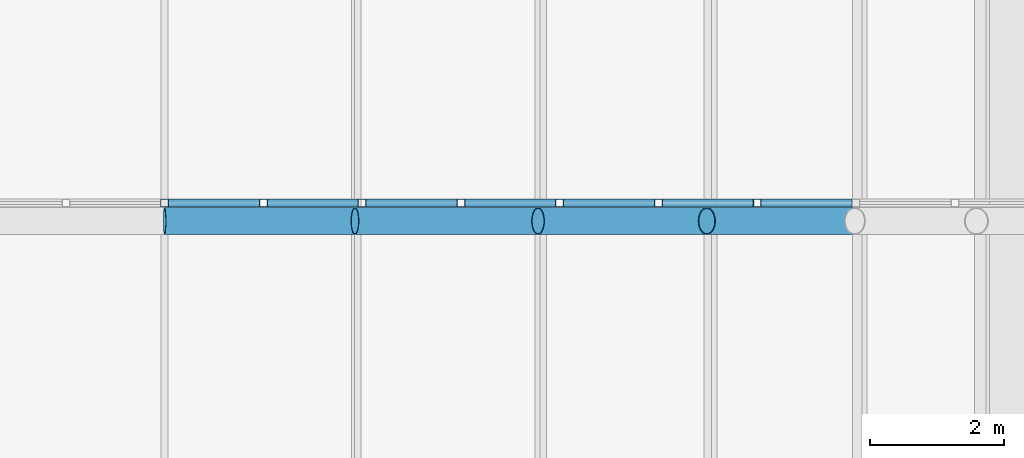
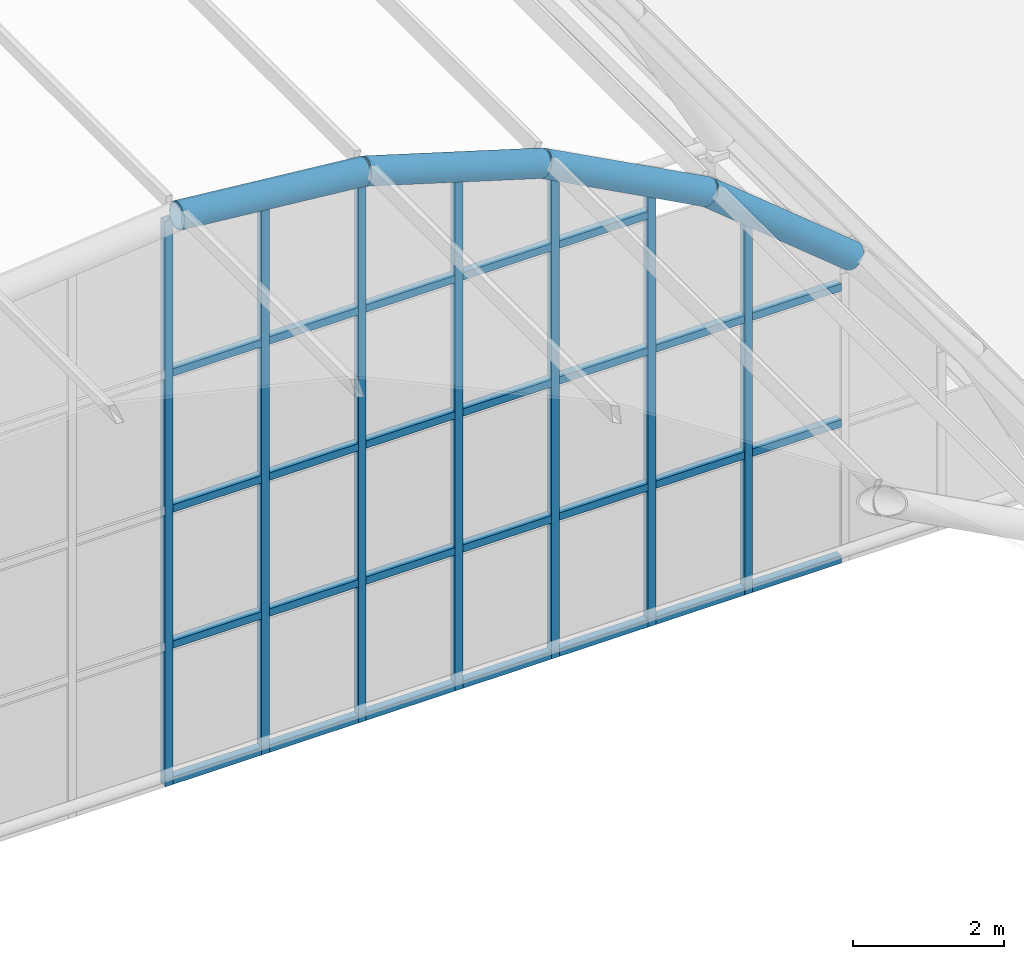
# One storey, part 28 of 121: 37 members, 1 element without a shape of its own.
"""IFC4 building model written with IfcOpenShell, lengths in metres."""

import ifcopenshell
import ifcopenshell.guid

model = None  # the IFC model being written
_history = None  # IfcOwnerHistory: only IFC2X3 demands one
_inside = {}  # id of a spatial element -> (the spatial element, [elements in it])
_under = {}  # id of a project, library or spatial element -> (it, [spatial elements below it])
_declared = {}  # id of a project -> (the project, [libraries it declares])
_typed = {}  # id of a type object -> (the type object, [elements of that type])
_made_of = {}  # id of a material, layer set ... -> (it, [elements and type objects made of it])


def new_model(schema):
    """Start an empty IFC model of exactly this schema.

    Asked for "IFC4X3", IfcOpenShell would pick the latest addendum, in which some entities
    have other attributes; the version numbers below select the first issue.
    IFC2X3 requires an IfcOwnerHistory on every rooted entity: one is made here for all.
    """
    global model, _history
    if schema == "IFC4X3":
        model = ifcopenshell.file(schema_version=(4, 3, 0, 0))
    else:
        model = ifcopenshell.file(schema=schema)
    _inside.clear()
    _under.clear()
    _declared.clear()
    _typed.clear()
    _made_of.clear()
    _history = None
    if model.schema == "IFC2X3":
        org = make("IfcOrganization", Name="unknown")
        user = make(
            "IfcPersonAndOrganization",
            ThePerson=make("IfcPerson", FamilyName="unknown"),
            TheOrganization=org,
        )
        app = make(
            "IfcApplication",
            ApplicationDeveloper=org,
            Version="unknown",
            ApplicationFullName="unknown",
            ApplicationIdentifier="unknown",
        )
        _history = make(
            "IfcOwnerHistory",
            OwningUser=user,
            OwningApplication=app,
            ChangeAction="ADDED",
            CreationDate=0,
        )
    return model


def make(cls, **values):
    """One entity of the class cls with the attributes given. An attribute that is None is left unset."""
    return model.create_entity(
        cls, **{name: value for name, value in values.items() if value is not None}
    )


def rooted(cls, **values):
    """An entity with a GlobalId (a new one), such as an element, a storey or a relation."""
    return make(cls, GlobalId=ifcopenshell.guid.new(), OwnerHistory=_history, **values)


def si_unit(unit_type, name, prefix=None):
    """IfcSIUnit, for example si_unit("LENGTHUNIT", "METRE", prefix="MILLI")."""
    return make("IfcSIUnit", UnitType=unit_type, Prefix=prefix, Name=name)


def assignment(units):
    """IfcUnitAssignment: the units of a project."""
    return None if units is None else make("IfcUnitAssignment", Units=units)


def point(xyz):
    """IfcCartesianPoint."""
    return None if xyz is None else make("IfcCartesianPoint", Coordinates=xyz)


def direction(xyz):
    """IfcDirection."""
    return None if xyz is None else make("IfcDirection", DirectionRatios=xyz)


def frame(location, z_axis=None, x_axis=None):
    """IfcAxis2Placement3D, a coordinate frame: its origin and axes. An axis left out is left unset."""
    return make(
        "IfcAxis2Placement3D",
        Location=point(location),
        Axis=direction(z_axis),
        RefDirection=direction(x_axis),
    )


def frame_2d(location, x_axis=None):
    """IfcAxis2Placement2D, a coordinate frame in the plane: its origin and x axis."""
    return make(
        "IfcAxis2Placement2D", Location=point(location), RefDirection=direction(x_axis)
    )


def origin():
    """The frame at (0, 0, 0) with its axes left unset."""
    return frame((0.0, 0.0, 0.0))


def origin_2d():
    """The frame at (0, 0) in the plane with its x axis left unset."""
    return frame_2d((0.0, 0.0))


def place(relative_to, where):
    """IfcLocalPlacement: puts the frame where relative to a parent placement (None: the world)."""
    return make(
        "IfcLocalPlacement", PlacementRelTo=relative_to, RelativePlacement=where
    )


def context(
    kind, dimensions, precision=None, world=None, true_north=None, identifier=None
):
    """IfcGeometricRepresentationContext, for example the 3D "Model" context."""
    return make(
        "IfcGeometricRepresentationContext",
        ContextIdentifier=identifier,
        ContextType=kind,
        CoordinateSpaceDimension=dimensions,
        Precision=precision,
        WorldCoordinateSystem=world,
        TrueNorth=true_north,
    )


def subcontext(parent, identifier, kind, view, scale=None):
    """IfcGeometricRepresentationSubContext, for example "Body" below "Model"."""
    return make(
        "IfcGeometricRepresentationSubContext",
        ContextIdentifier=identifier,
        ContextType=kind,
        ParentContext=parent,
        TargetScale=scale,
        TargetView=view,
    )


def project(units=None, contexts=None):
    """IfcProject with its units and contexts."""
    return rooted(
        "IfcProject",
        Name="project",
        RepresentationContexts=contexts,
        UnitsInContext=assignment(units),
    )


def spatial(cls, under=None, at=None, **own):
    """A site, building, storey or space (cls), placed at a placement, below another one or the project."""
    s = rooted(cls, ObjectPlacement=at, **own)
    if under is not None:
        _under.setdefault(under.id(), (under, []))[1].append(s)
    return s


def profile(cls, at=None, kind="AREA", **sizes):
    """A parametric profile (cls). Its sizes go by their IFC names, for example OverallWidth=200.0."""
    return make(cls, ProfileType=kind, Position=at, **sizes)


def hollow_rectangle(**sizes):
    """IfcRectangleHollowProfileDef."""
    return profile("IfcRectangleHollowProfileDef", **sizes)


def hollow_circle(**sizes):
    """IfcCircleHollowProfileDef."""
    return profile("IfcCircleHollowProfileDef", **sizes)


def extrude(swept, where, along, depth):
    """IfcExtrudedAreaSolid: the profile swept, set in the frame where, extruded along a direction by depth."""
    return make(
        "IfcExtrudedAreaSolid",
        SweptArea=swept,
        Position=where,
        ExtrudedDirection=direction(along),
        Depth=depth,
    )


def shape(context_of_items, identifier, shape_type, items):
    """IfcShapeRepresentation: the items that make up one representation, for example the "Body"."""
    return make(
        "IfcShapeRepresentation",
        ContextOfItems=context_of_items,
        RepresentationIdentifier=identifier,
        RepresentationType=shape_type,
        Items=items,
    )


def material(Name=None, Category=None):
    """IfcMaterial."""
    return make("IfcMaterial", Name=Name, Category=Category)


def material_profile(
    of_material, cross_section, Name=None, Category=None, Priority=None
):
    """IfcMaterialProfile: a cross section and its material."""
    return make(
        "IfcMaterialProfile",
        Name=Name,
        Material=of_material,
        Profile=cross_section,
        Priority=Priority,
        Category=Category,
    )


def profile_set(profiles, Name=None, composite=None):
    """IfcMaterialProfileSet."""
    return make(
        "IfcMaterialProfileSet",
        Name=Name,
        MaterialProfiles=profiles,
        CompositeProfile=composite,
    )


def made_of(thing, what):
    """Note that an element or type object is made of a material, layer set ...; save() writes the relation."""
    if what is not None:
        _made_of.setdefault(what.id(), (what, []))[1].append(thing)
    return thing


def type_object(cls, material=None, **own):
    """A type object (cls), such as IfcWallType, which elements share."""
    return made_of(rooted(cls, **own), material)


def element(
    cls,
    number,
    at=None,
    inside=None,
    cuts=None,
    type_object=None,
    material=None,
    context=None,
    identifier="Body",
    shape_type=None,
    held_by="IfcProductDefinitionShape",
    body=None,
    shapes=None,
    **own,
):
    """One element of the class cls, such as IfcWall. Its Tag is "e" and its number.

    at: its placement. inside: the storey or other place that contains it. cuts: it is an
    opening in that element (IfcRelVoidsElement). A single representation is given by context,
    identifier, shape_type and body (its items); several are given by shapes. held_by: the class
    of the entity that holds the representations. save() writes the other relations.
    """
    e = rooted(cls, Tag="e%d" % number, ObjectPlacement=at, **own)
    if body is not None:
        shapes = [shape(context, identifier, shape_type, body)]
    if shapes is not None:
        e.Representation = make(held_by, Representations=shapes)
    if inside is not None:
        _inside.setdefault(inside.id(), (inside, []))[1].append(e)
    if cuts is not None:
        rooted(
            "IfcRelVoidsElement", RelatingBuildingElement=cuts, RelatedOpeningElement=e
        )
    if type_object is not None:
        _typed.setdefault(type_object.id(), (type_object, []))[1].append(e)
    return made_of(e, material)


def aggregate(whole, parts):
    """IfcRelAggregates: a whole, such as a stair, and the parts it consists of."""
    return rooted("IfcRelAggregates", RelatingObject=whole, RelatedObjects=parts)


def save(model, path):
    """Write the relations noted so far, then the file.

    IfcRelAggregates (storeys below a building ...), IfcRelContainedInSpatialStructure (elements
    in a storey), IfcRelDefinesByType, IfcRelAssociatesMaterial and IfcRelDeclares: one each for
    every whole, place, type object, material and project.
    """
    for whole, parts in _under.values():
        aggregate(whole, parts)
    for where, things in _inside.values():
        rooted(
            "IfcRelContainedInSpatialStructure",
            RelatedElements=things,
            RelatingStructure=where,
        )
    for kind, things in _typed.values():
        rooted("IfcRelDefinesByType", RelatedObjects=things, RelatingType=kind)
    for what, things in _made_of.values():
        rooted("IfcRelAssociatesMaterial", RelatedObjects=things, RelatingMaterial=what)
    for by, libraries in _declared.values():
        rooted("IfcRelDeclares", RelatingContext=by, RelatedDefinitions=libraries)
    model.write(path)


model = new_model("IFC4")

# Units and contexts
model_context = context("Model", 3, precision=1e-05, world=origin(), true_north=direction((0.0, 1.0)))
body_context = subcontext(model_context, "Body", "Model", "MODEL_VIEW")
ifc_project = project(units=[si_unit("LENGTHUNIT", "METRE"), si_unit("AREAUNIT", "SQUARE_METRE"), si_unit("VOLUMEUNIT", "CUBIC_METRE"), si_unit("PLANEANGLEUNIT", "RADIAN"), si_unit("MASSUNIT", "GRAM", prefix="KILO")], contexts=[model_context])

# Site, building, storey
site_placement = place(None, origin())
site = spatial("IfcSite", under=ifc_project, at=site_placement, CompositionType="ELEMENT")
building_placement = place(site_placement, origin())
building = spatial("IfcBuilding", under=site, at=building_placement, Name="Golden Quay Civic Hall", CompositionType="ELEMENT")
storey_placement = place(building_placement, frame((0.0, 0.0, 18.60009765625)))
storey = spatial("IfcBuildingStorey", under=building, at=storey_placement, Name="L04", CompositionType="ELEMENT", Elevation=18.60009765625)

# Curtain wall, members
ifc_material_1 = material(Name="Fire-resisting glass and steel", Category="steel")
curtain_wall_type = type_object("IfcCurtainWallType", Name="Fire-resisting glazed curtain wall EI 120", PredefinedType="NOTDEFINED", material=ifc_material_1)
curtain_wall_placement = place(storey_placement, origin())
curtain_wall = element("IfcCurtainWall", 1, at=curtain_wall_placement, inside=storey, type_object=curtain_wall_type, Name="Curtain wall tympanum fire1", PredefinedType="NOTDEFINED")
ifc_material_2 = material(Name="Steel S355", Category="steel")
ifc_material_profile_1 = material_profile(ifc_material_2, hollow_rectangle(XDim=0.1201171875, YDim=0.1201171875, WallThickness=0.008056640625, at=origin_2d()), Name="SHS 120x120x8")
ifc_profile_set_1 = profile_set([ifc_material_profile_1], Name="Steel S355")
member_type_1 = type_object("IfcMemberType", Name="Fire-resisting steel mullion SHS 120x120x8", PredefinedType="MULLION", material=ifc_profile_set_1)
member_1_placement = place(storey_placement, frame((85.5, 18.27001953125, -0.25), z_axis=(0.0, 0.0, 1.0), x_axis=(0.0, 1.0, 0.0)))
member_1 = element("IfcMember", 2, at=member_1_placement, type_object=member_type_1, Name="Tympanum mullion 10", PredefinedType="MULLION", context=body_context, shape_type="SweptSolid", body=[
    extrude(hollow_rectangle(XDim=0.1201171875, YDim=0.1201171875, WallThickness=0.008056640625, at=origin_2d()), origin(), (0.0, 0.0, 1.0), 9.139892578125),
])
member_2_placement = place(storey_placement, frame((86.977783203125, 18.27001953125, -0.25), z_axis=(0.0, 0.0, 1.0), x_axis=(0.0, 1.0, 0.0)))
member_2 = element("IfcMember", 3, at=member_2_placement, type_object=member_type_1, Name="Tympanum mullion 11", PredefinedType="MULLION", context=body_context, shape_type="SweptSolid", body=[
    extrude(hollow_rectangle(XDim=0.1201171875, YDim=0.1201171875, WallThickness=0.008056640625, at=origin_2d()), origin(), (0.0, 0.0, 1.0), 8.99462890625),
])
member_3_placement = place(storey_placement, frame((88.45556640625, 18.27001953125, -0.25), z_axis=(0.0, 0.0, 1.0), x_axis=(0.0, 1.0, 0.0)))
member_3 = element("IfcMember", 4, at=member_3_placement, type_object=member_type_1, Name="Tympanum mullion 12", PredefinedType="MULLION", context=body_context, shape_type="SweptSolid", body=[
    extrude(hollow_rectangle(XDim=0.1201171875, YDim=0.1201171875, WallThickness=0.008056640625, at=origin_2d()), origin(), (0.0, 0.0, 1.0), 8.806884765625),
])
member_4_placement = place(storey_placement, frame((89.933349609375, 18.27001953125, -0.25), z_axis=(0.0, 0.0, 1.0), x_axis=(0.0, 1.0, 0.0)))
member_4 = element("IfcMember", 5, at=member_4_placement, type_object=member_type_1, Name="Tympanum mullion 13", PredefinedType="MULLION", context=body_context, shape_type="SweptSolid", body=[
    extrude(hollow_rectangle(XDim=0.1201171875, YDim=0.1201171875, WallThickness=0.008056640625, at=origin_2d()), origin(), (0.0, 0.0, 1.0), 8.359375),
])
member_5_placement = place(storey_placement, frame((91.4111328125, 18.27001953125, -0.25), z_axis=(0.0, 0.0, 1.0), x_axis=(0.0, 1.0, 0.0)))
member_5 = element("IfcMember", 6, at=member_5_placement, type_object=member_type_1, Name="Tympanum mullion 14", PredefinedType="MULLION", context=body_context, shape_type="SweptSolid", body=[
    extrude(hollow_rectangle(XDim=0.1201171875, YDim=0.1201171875, WallThickness=0.008056640625, at=origin_2d()), origin(), (0.0, 0.0, 1.0), 7.805419921875),
])
member_6_placement = place(storey_placement, frame((92.888916015625, 18.27001953125, -0.25), z_axis=(0.0, 0.0, 1.0), x_axis=(0.0, 1.0, 0.0)))
member_6 = element("IfcMember", 7, at=member_6_placement, type_object=member_type_1, Name="Tympanum mullion 15", PredefinedType="MULLION", context=body_context, shape_type="SweptSolid", body=[
    extrude(hollow_rectangle(XDim=0.1201171875, YDim=0.1201171875, WallThickness=0.008056640625, at=origin_2d()), origin(), (0.0, 0.0, 1.0), 7.017333984375),
])
member_7_placement = place(storey_placement, frame((94.36669921875, 18.27001953125, -0.25), z_axis=(0.0, 0.0, 1.0), x_axis=(0.0, 1.0, 0.0)))
member_7 = element("IfcMember", 8, at=member_7_placement, type_object=member_type_1, Name="Tympanum mullion 16", PredefinedType="MULLION", context=body_context, shape_type="SweptSolid", body=[
    extrude(hollow_rectangle(XDim=0.1201171875, YDim=0.1201171875, WallThickness=0.008056640625, at=origin_2d()), origin(), (0.0, 0.0, 1.0), 5.964599609375),
])
ifc_material_3 = material(Name="Steel S355", Category="steel")
ifc_material_profile_2 = material_profile(ifc_material_3, hollow_rectangle(XDim=0.1201171875, YDim=0.1201171875, WallThickness=0.008056640625, at=origin_2d()), Name="SHS 120x120x8")
ifc_profile_set_2 = profile_set([ifc_material_profile_2], Name="Steel S355")
member_type_2 = type_object("IfcMemberType", Name="Fire-resisting steel transom SHS 120x120x8", PredefinedType="USERDEFINED", material=ifc_profile_set_2)
member_8_placement = place(storey_placement, frame((85.56005859375, 18.27001953125, -0.190185546875), z_axis=(1.0, 0.0, 0.0), x_axis=(0.0, 1.0, 0.0)))
member_8 = element("IfcMember", 9, at=member_8_placement, type_object=member_type_2, Name="Tympanum transom 10.1", ObjectType="TRANSOM", PredefinedType="USERDEFINED", context=body_context, shape_type="SweptSolid", body=[
    extrude(hollow_rectangle(XDim=0.1201171875, YDim=0.1201171875, WallThickness=0.008056640625, at=origin_2d()), origin(), (0.0, 0.0, 1.0), 1.357666015625),
])
member_9_placement = place(storey_placement, frame((85.56005859375, 18.27001953125, 2.010009765625), z_axis=(1.0, 0.0, 0.0), x_axis=(0.0, 1.0, 0.0)))
member_9 = element("IfcMember", 10, at=member_9_placement, type_object=member_type_2, Name="Tympanum transom 10.2", ObjectType="TRANSOM", PredefinedType="USERDEFINED", context=body_context, shape_type="SweptSolid", body=[
    extrude(hollow_rectangle(XDim=0.1201171875, YDim=0.1201171875, WallThickness=0.008056640625, at=origin_2d()), origin(), (0.0, 0.0, 1.0), 1.357666015625),
])
member_10_placement = place(storey_placement, frame((85.56005859375, 18.27001953125, 4.2099609375), z_axis=(1.0, 0.0, 0.0), x_axis=(0.0, 1.0, 0.0)))
member_10 = element("IfcMember", 11, at=member_10_placement, type_object=member_type_2, Name="Tympanum transom 10.3", ObjectType="TRANSOM", PredefinedType="USERDEFINED", context=body_context, shape_type="SweptSolid", body=[
    extrude(hollow_rectangle(XDim=0.1201171875, YDim=0.1201171875, WallThickness=0.008056640625, at=origin_2d()), origin(), (0.0, 0.0, 1.0), 1.357666015625),
])
member_11_placement = place(storey_placement, frame((85.56005859375, 18.27001953125, 6.409912109375), z_axis=(1.0, 0.0, 0.0), x_axis=(0.0, 1.0, 0.0)))
member_11 = element("IfcMember", 12, at=member_11_placement, type_object=member_type_2, Name="Tympanum transom 10.4", ObjectType="TRANSOM", PredefinedType="USERDEFINED", context=body_context, shape_type="SweptSolid", body=[
    extrude(hollow_rectangle(XDim=0.1201171875, YDim=0.1201171875, WallThickness=0.008056640625, at=origin_2d()), origin(), (0.0, 0.0, 1.0), 1.357666015625),
])
member_12_placement = place(storey_placement, frame((87.037841796875, 18.27001953125, -0.190185546875), z_axis=(1.0, 0.0, 0.0), x_axis=(0.0, 1.0, 0.0)))
member_12 = element("IfcMember", 13, at=member_12_placement, type_object=member_type_2, Name="Tympanum transom 11.1", ObjectType="TRANSOM", PredefinedType="USERDEFINED", context=body_context, shape_type="SweptSolid", body=[
    extrude(hollow_rectangle(XDim=0.1201171875, YDim=0.1201171875, WallThickness=0.008056640625, at=origin_2d()), origin(), (0.0, 0.0, 1.0), 1.357666015625),
])
member_13_placement = place(storey_placement, frame((87.037841796875, 18.27001953125, 2.010009765625), z_axis=(1.0, 0.0, 0.0), x_axis=(0.0, 1.0, 0.0)))
member_13 = element("IfcMember", 14, at=member_13_placement, type_object=member_type_2, Name="Tympanum transom 11.2", ObjectType="TRANSOM", PredefinedType="USERDEFINED", context=body_context, shape_type="SweptSolid", body=[
    extrude(hollow_rectangle(XDim=0.1201171875, YDim=0.1201171875, WallThickness=0.008056640625, at=origin_2d()), origin(), (0.0, 0.0, 1.0), 1.357666015625),
])
member_14_placement = place(storey_placement, frame((87.037841796875, 18.27001953125, 4.2099609375), z_axis=(1.0, 0.0, 0.0), x_axis=(0.0, 1.0, 0.0)))
member_14 = element("IfcMember", 15, at=member_14_placement, type_object=member_type_2, Name="Tympanum transom 11.3", ObjectType="TRANSOM", PredefinedType="USERDEFINED", context=body_context, shape_type="SweptSolid", body=[
    extrude(hollow_rectangle(XDim=0.1201171875, YDim=0.1201171875, WallThickness=0.008056640625, at=origin_2d()), origin(), (0.0, 0.0, 1.0), 1.357666015625),
])
member_15_placement = place(storey_placement, frame((87.037841796875, 18.27001953125, 6.409912109375), z_axis=(1.0, 0.0, 0.0), x_axis=(0.0, 1.0, 0.0)))
member_15 = element("IfcMember", 16, at=member_15_placement, type_object=member_type_2, Name="Tympanum transom 11.4", ObjectType="TRANSOM", PredefinedType="USERDEFINED", context=body_context, shape_type="SweptSolid", body=[
    extrude(hollow_rectangle(XDim=0.1201171875, YDim=0.1201171875, WallThickness=0.008056640625, at=origin_2d()), origin(), (0.0, 0.0, 1.0), 1.357666015625),
])
member_16_placement = place(storey_placement, frame((88.515625, 18.27001953125, -0.190185546875), z_axis=(1.0, 0.0, 0.0), x_axis=(0.0, 1.0, 0.0)))
member_16 = element("IfcMember", 17, at=member_16_placement, type_object=member_type_2, Name="Tympanum transom 12.1", ObjectType="TRANSOM", PredefinedType="USERDEFINED", context=body_context, shape_type="SweptSolid", body=[
    extrude(hollow_rectangle(XDim=0.1201171875, YDim=0.1201171875, WallThickness=0.008056640625, at=origin_2d()), origin(), (0.0, 0.0, 1.0), 1.357666015625),
])
member_17_placement = place(storey_placement, frame((88.515625, 18.27001953125, 2.010009765625), z_axis=(1.0, 0.0, 0.0), x_axis=(0.0, 1.0, 0.0)))
member_17 = element("IfcMember", 18, at=member_17_placement, type_object=member_type_2, Name="Tympanum transom 12.2", ObjectType="TRANSOM", PredefinedType="USERDEFINED", context=body_context, shape_type="SweptSolid", body=[
    extrude(hollow_rectangle(XDim=0.1201171875, YDim=0.1201171875, WallThickness=0.008056640625, at=origin_2d()), origin(), (0.0, 0.0, 1.0), 1.357666015625),
])
member_18_placement = place(storey_placement, frame((88.515625, 18.27001953125, 4.2099609375), z_axis=(1.0, 0.0, 0.0), x_axis=(0.0, 1.0, 0.0)))
member_18 = element("IfcMember", 19, at=member_18_placement, type_object=member_type_2, Name="Tympanum transom 12.3", ObjectType="TRANSOM", PredefinedType="USERDEFINED", context=body_context, shape_type="SweptSolid", body=[
    extrude(hollow_rectangle(XDim=0.1201171875, YDim=0.1201171875, WallThickness=0.008056640625, at=origin_2d()), origin(), (0.0, 0.0, 1.0), 1.357666015625),
])
member_19_placement = place(storey_placement, frame((88.515625, 18.27001953125, 6.409912109375), z_axis=(1.0, 0.0, 0.0), x_axis=(0.0, 1.0, 0.0)))
member_19 = element("IfcMember", 20, at=member_19_placement, type_object=member_type_2, Name="Tympanum transom 12.4", ObjectType="TRANSOM", PredefinedType="USERDEFINED", context=body_context, shape_type="SweptSolid", body=[
    extrude(hollow_rectangle(XDim=0.1201171875, YDim=0.1201171875, WallThickness=0.008056640625, at=origin_2d()), origin(), (0.0, 0.0, 1.0), 1.357666015625),
])
member_20_placement = place(storey_placement, frame((89.993408203125, 18.27001953125, -0.190185546875), z_axis=(1.0, 0.0, 0.0), x_axis=(0.0, 1.0, 0.0)))
member_20 = element("IfcMember", 21, at=member_20_placement, type_object=member_type_2, Name="Tympanum transom 13.1", ObjectType="TRANSOM", PredefinedType="USERDEFINED", context=body_context, shape_type="SweptSolid", body=[
    extrude(hollow_rectangle(XDim=0.1201171875, YDim=0.1201171875, WallThickness=0.008056640625, at=origin_2d()), origin(), (0.0, 0.0, 1.0), 1.357666015625),
])
member_21_placement = place(storey_placement, frame((89.993408203125, 18.27001953125, 2.010009765625), z_axis=(1.0, 0.0, 0.0), x_axis=(0.0, 1.0, 0.0)))
member_21 = element("IfcMember", 22, at=member_21_placement, type_object=member_type_2, Name="Tympanum transom 13.2", ObjectType="TRANSOM", PredefinedType="USERDEFINED", context=body_context, shape_type="SweptSolid", body=[
    extrude(hollow_rectangle(XDim=0.1201171875, YDim=0.1201171875, WallThickness=0.008056640625, at=origin_2d()), origin(), (0.0, 0.0, 1.0), 1.357666015625),
])
member_22_placement = place(storey_placement, frame((89.993408203125, 18.27001953125, 4.2099609375), z_axis=(1.0, 0.0, 0.0), x_axis=(0.0, 1.0, 0.0)))
member_22 = element("IfcMember", 23, at=member_22_placement, type_object=member_type_2, Name="Tympanum transom 13.3", ObjectType="TRANSOM", PredefinedType="USERDEFINED", context=body_context, shape_type="SweptSolid", body=[
    extrude(hollow_rectangle(XDim=0.1201171875, YDim=0.1201171875, WallThickness=0.008056640625, at=origin_2d()), origin(), (0.0, 0.0, 1.0), 1.357666015625),
])
member_23_placement = place(storey_placement, frame((89.993408203125, 18.27001953125, 6.409912109375), z_axis=(1.0, 0.0, 0.0), x_axis=(0.0, 1.0, 0.0)))
member_23 = element("IfcMember", 24, at=member_23_placement, type_object=member_type_2, Name="Tympanum transom 13.4", ObjectType="TRANSOM", PredefinedType="USERDEFINED", context=body_context, shape_type="SweptSolid", body=[
    extrude(hollow_rectangle(XDim=0.1201171875, YDim=0.1201171875, WallThickness=0.008056640625, at=origin_2d()), origin(), (0.0, 0.0, 1.0), 1.357666015625),
])
member_24_placement = place(storey_placement, frame((91.47119140625, 18.27001953125, -0.190185546875), z_axis=(1.0, 0.0, 0.0), x_axis=(0.0, 1.0, 0.0)))
member_24 = element("IfcMember", 25, at=member_24_placement, type_object=member_type_2, Name="Tympanum transom 14.1", ObjectType="TRANSOM", PredefinedType="USERDEFINED", context=body_context, shape_type="SweptSolid", body=[
    extrude(hollow_rectangle(XDim=0.1201171875, YDim=0.1201171875, WallThickness=0.008056640625, at=origin_2d()), origin(), (0.0, 0.0, 1.0), 1.357666015625),
])
member_25_placement = place(storey_placement, frame((91.47119140625, 18.27001953125, 2.010009765625), z_axis=(1.0, 0.0, 0.0), x_axis=(0.0, 1.0, 0.0)))
member_25 = element("IfcMember", 26, at=member_25_placement, type_object=member_type_2, Name="Tympanum transom 14.2", ObjectType="TRANSOM", PredefinedType="USERDEFINED", context=body_context, shape_type="SweptSolid", body=[
    extrude(hollow_rectangle(XDim=0.1201171875, YDim=0.1201171875, WallThickness=0.008056640625, at=origin_2d()), origin(), (0.0, 0.0, 1.0), 1.357666015625),
])
member_26_placement = place(storey_placement, frame((91.47119140625, 18.27001953125, 4.2099609375), z_axis=(1.0, 0.0, 0.0), x_axis=(0.0, 1.0, 0.0)))
member_26 = element("IfcMember", 27, at=member_26_placement, type_object=member_type_2, Name="Tympanum transom 14.3", ObjectType="TRANSOM", PredefinedType="USERDEFINED", context=body_context, shape_type="SweptSolid", body=[
    extrude(hollow_rectangle(XDim=0.1201171875, YDim=0.1201171875, WallThickness=0.008056640625, at=origin_2d()), origin(), (0.0, 0.0, 1.0), 1.357666015625),
])
member_27_placement = place(storey_placement, frame((91.47119140625, 18.27001953125, 6.409912109375), z_axis=(1.0, 0.0, 0.0), x_axis=(0.0, 1.0, 0.0)))
member_27 = element("IfcMember", 28, at=member_27_placement, type_object=member_type_2, Name="Tympanum transom 14.4", ObjectType="TRANSOM", PredefinedType="USERDEFINED", context=body_context, shape_type="SweptSolid", body=[
    extrude(hollow_rectangle(XDim=0.1201171875, YDim=0.1201171875, WallThickness=0.008056640625, at=origin_2d()), origin(), (0.0, 0.0, 1.0), 1.357666015625),
])
member_28_placement = place(storey_placement, frame((92.948974609375, 18.27001953125, -0.190185546875), z_axis=(1.0, 0.0, 0.0), x_axis=(0.0, 1.0, 0.0)))
member_28 = element("IfcMember", 29, at=member_28_placement, type_object=member_type_2, Name="Tympanum transom 15.1", ObjectType="TRANSOM", PredefinedType="USERDEFINED", context=body_context, shape_type="SweptSolid", body=[
    extrude(hollow_rectangle(XDim=0.1201171875, YDim=0.1201171875, WallThickness=0.008056640625, at=origin_2d()), origin(), (0.0, 0.0, 1.0), 1.357666015625),
])
member_29_placement = place(storey_placement, frame((92.948974609375, 18.27001953125, 2.010009765625), z_axis=(1.0, 0.0, 0.0), x_axis=(0.0, 1.0, 0.0)))
member_29 = element("IfcMember", 30, at=member_29_placement, type_object=member_type_2, Name="Tympanum transom 15.2", ObjectType="TRANSOM", PredefinedType="USERDEFINED", context=body_context, shape_type="SweptSolid", body=[
    extrude(hollow_rectangle(XDim=0.1201171875, YDim=0.1201171875, WallThickness=0.008056640625, at=origin_2d()), origin(), (0.0, 0.0, 1.0), 1.357666015625),
])
member_30_placement = place(storey_placement, frame((92.948974609375, 18.27001953125, 4.2099609375), z_axis=(1.0, 0.0, 0.0), x_axis=(0.0, 1.0, 0.0)))
member_30 = element("IfcMember", 31, at=member_30_placement, type_object=member_type_2, Name="Tympanum transom 15.3", ObjectType="TRANSOM", PredefinedType="USERDEFINED", context=body_context, shape_type="SweptSolid", body=[
    extrude(hollow_rectangle(XDim=0.1201171875, YDim=0.1201171875, WallThickness=0.008056640625, at=origin_2d()), origin(), (0.0, 0.0, 1.0), 1.357666015625),
])
member_31_placement = place(storey_placement, frame((94.4267578125, 18.27001953125, -0.190185546875), z_axis=(1.0, 0.0, 0.0), x_axis=(0.0, 1.0, 0.0)))
member_31 = element("IfcMember", 32, at=member_31_placement, type_object=member_type_2, Name="Tympanum transom 16.1", ObjectType="TRANSOM", PredefinedType="USERDEFINED", context=body_context, shape_type="SweptSolid", body=[
    extrude(hollow_rectangle(XDim=0.1201171875, YDim=0.1201171875, WallThickness=0.008056640625, at=origin_2d()), origin(), (0.0, 0.0, 1.0), 1.357666015625),
])
member_32_placement = place(storey_placement, frame((94.4267578125, 18.27001953125, 2.010009765625), z_axis=(1.0, 0.0, 0.0), x_axis=(0.0, 1.0, 0.0)))
member_32 = element("IfcMember", 33, at=member_32_placement, type_object=member_type_2, Name="Tympanum transom 16.2", ObjectType="TRANSOM", PredefinedType="USERDEFINED", context=body_context, shape_type="SweptSolid", body=[
    extrude(hollow_rectangle(XDim=0.1201171875, YDim=0.1201171875, WallThickness=0.008056640625, at=origin_2d()), origin(), (0.0, 0.0, 1.0), 1.357666015625),
])
member_33_placement = place(storey_placement, frame((94.4267578125, 18.27001953125, 4.2099609375), z_axis=(1.0, 0.0, 0.0), x_axis=(0.0, 1.0, 0.0)))
member_33 = element("IfcMember", 34, at=member_33_placement, type_object=member_type_2, Name="Tympanum transom 16.3", ObjectType="TRANSOM", PredefinedType="USERDEFINED", context=body_context, shape_type="SweptSolid", body=[
    extrude(hollow_rectangle(XDim=0.1201171875, YDim=0.1201171875, WallThickness=0.008056640625, at=origin_2d()), origin(), (0.0, 0.0, 1.0), 1.357666015625),
])
aggregate(curtain_wall, [member_1, member_2, member_3, member_4, member_5, member_6, member_7, member_8, member_9, member_10, member_11, member_12, member_13, member_14, member_15, member_16, member_17, member_18, member_19, member_20, member_21, member_22, member_23, member_24, member_25, member_26, member_27, member_28, member_29, member_30, member_31, member_32, member_33])

# Members
ifc_material_4 = material(Name="Steel S355", Category="steel")
ifc_material_profile_3 = material_profile(ifc_material_4, hollow_circle(Radius=0.203125, WallThickness=0.01611328125, at=origin_2d()), Name="CHS 406.4x16")
ifc_profile_set_3 = profile_set([ifc_material_profile_3], Name="Steel S355")
member_type_3 = type_object("IfcMemberType", Name="Steel arch rib CHS 406.4x16", PredefinedType="USERDEFINED", material=ifc_profile_set_3)
member_34_placement = place(storey_placement, frame((85.5, 18.0, 9.099853515625), z_axis=(0.995201360973, 0.0, -0.097848102266), x_axis=(0.0, 1.0, 0.0)))
element("IfcMember", 35, at=member_34_placement, inside=storey, type_object=member_type_3, Name="Arch rib 3 segment 7", ObjectType="ARCH RIB", PredefinedType="USERDEFINED", context=body_context, shape_type="SweptSolid", body=[
    extrude(hollow_circle(Radius=0.203125, WallThickness=0.01611328125, at=origin_2d()), origin(), (0.0, 0.0, 1.0), 2.86181640625),
])
member_35_placement = place(storey_placement, frame((88.34814453125, 18.0, 8.81982421875), z_axis=(0.957095401463, 0.0, -0.289773001673), x_axis=(0.0, 1.0, 0.0)))
element("IfcMember", 36, at=member_35_placement, inside=storey, type_object=member_type_3, Name="Arch rib 3 segment 8", ObjectType="ARCH RIB", PredefinedType="USERDEFINED", context=body_context, shape_type="SweptSolid", body=[
    extrude(hollow_circle(Radius=0.203125, WallThickness=0.01611328125, at=origin_2d()), origin(), (0.0, 0.0, 1.0), 2.862060546875),
])
for number, where, z_axis, x_axis, name in (
    (37, (91.08740234375, 18.0, 7.990478515625), (0.882326964097, 0.0, -0.470636939082), (0.0, 1.0, 0.0), "Arch rib 3 segment 9"),
    (38, (93.612548828125, 18.0, 6.6435546875), (0.773786223221, 0.0, -0.633446825514), (0.0, 1.0, 0.0), "Arch rib 3 segment 10"),
):
    element("IfcMember", number, at=place(storey_placement, frame(where, z_axis=z_axis, x_axis=x_axis)), inside=storey, type_object=member_type_3, Name=name, ObjectType="ARCH RIB", PredefinedType="USERDEFINED", context=body_context, shape_type="SweptSolid", body=[
        extrude(hollow_circle(Radius=0.203125, WallThickness=0.01611328125, at=origin_2d()), origin(), (0.0, 0.0, 1.0), 2.86181640625),
    ])

save(model, "model.ifc")
